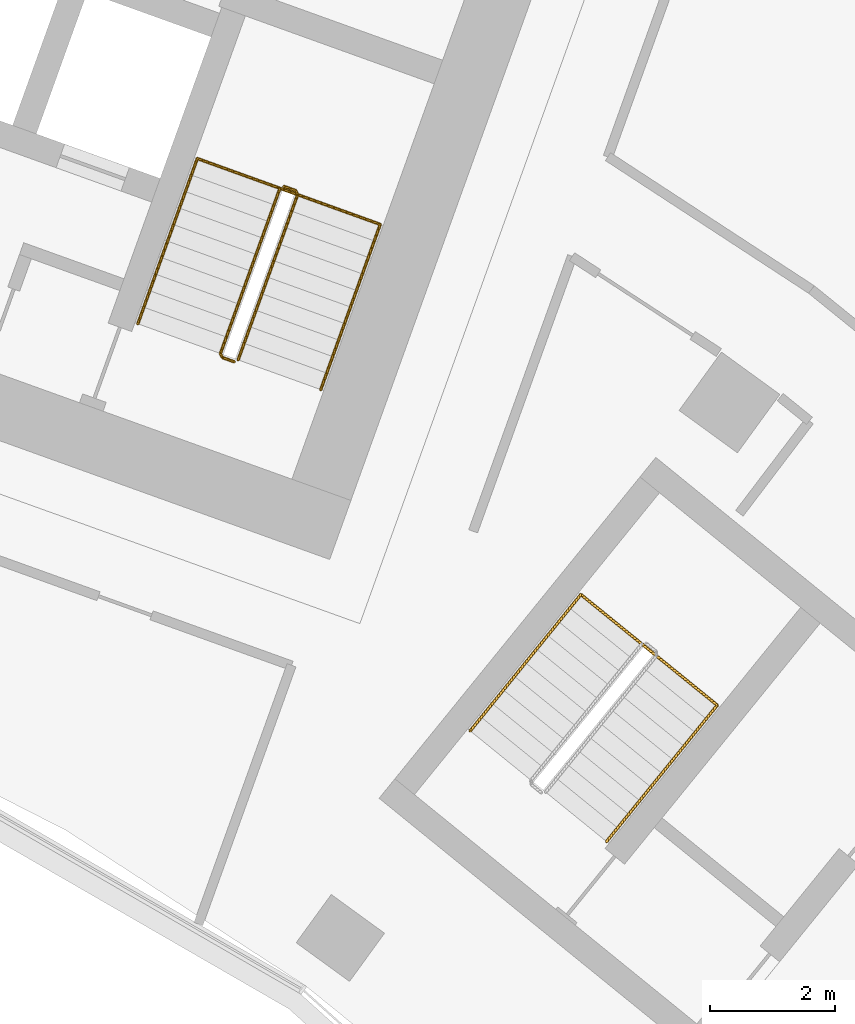
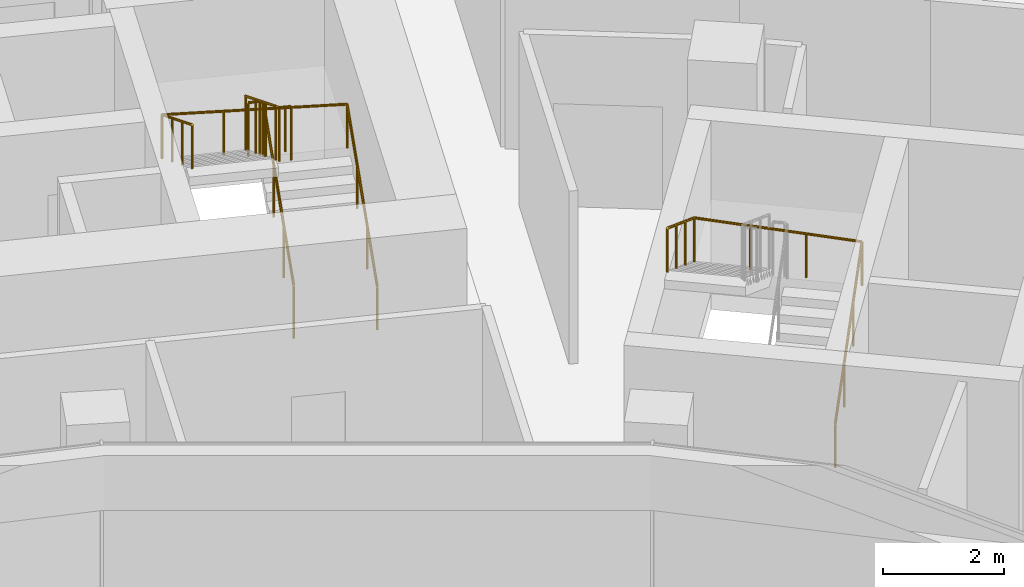
# One storey, part 19 of 19: 4 railings.
"""IFC4 building model written with IfcOpenShell, lengths in metres."""

from ifc_helpers import new_model, si_unit, direction, frame, origin, origin_2d, place, context, subcontext, project, spatial, circle, extrude, material, type_object, element, save


model = new_model("IFC4")

# Units and contexts
model_context = context("Model", 3, precision=1e-05, world=origin(), true_north=direction((0.0, 1.0)))
body_context = subcontext(model_context, "Body", "Model", "MODEL_VIEW")
ifc_project = project(units=[si_unit("LENGTHUNIT", "METRE"), si_unit("AREAUNIT", "SQUARE_METRE"), si_unit("VOLUMEUNIT", "CUBIC_METRE"), si_unit("PLANEANGLEUNIT", "RADIAN"), si_unit("MASSUNIT", "GRAM", prefix="KILO")], contexts=[model_context])

# Site, building, storey
site_placement = place(None, origin())
site = spatial("IfcSite", under=ifc_project, at=site_placement, CompositionType="ELEMENT")
building_placement = place(site_placement, origin())
building = spatial("IfcBuilding", under=site, at=building_placement, Name="Stone Belt Terrace Tower", CompositionType="ELEMENT")
storey_placement = place(building_placement, frame((0.0, 0.0, 208.60009765625)))
storey = spatial("IfcBuildingStorey", under=building, at=storey_placement, Name="L50", CompositionType="ELEMENT", Elevation=208.60009765625)

# Railings
ifc_material = material(Name="Structural steel C345", Category="steel")
railing_type_1 = type_object("IfcRailingType", Name="Stair guard 1100", PredefinedType="GUARDRAIL", material=ifc_material)
railing_1_placement = place(storey_placement, frame((24.494140625, 45.174560546875, 0.172607421875)))
element("IfcRailing", 1, at=railing_1_placement, inside=storey, type_object=railing_type_1, Name="L50 ST1B stair guard 1", PredefinedType="GUARDRAIL", context=body_context, shape_type="SweptSolid", body=[
    extrude(circle(Radius=0.02392578125, at=origin_2d()), frame((0.0, 0.0, 1.076171875), z_axis=(0.288228637646, 0.800791768495, 0.525030280985), x_axis=(-0.940908529223, 0.338660803216, 0.0)), (0.0, 0.0, 1.0), 3.289794921875),
    extrude(circle(Radius=0.02392578125, at=origin_2d()), frame((0.9482421875, 2.634521484375, 2.80322265625), z_axis=(-0.424964916, 0.905209821074, 0.0), x_axis=(-0.905209821074, -0.424964916, 0.0)), (0.0, 0.0, 1.0), 0.070556640625),
    extrude(circle(Radius=0.02392578125, at=origin_2d()), frame((0.918212890625, 2.698486328125, 2.80322265625), z_axis=(-0.941105063269, 0.338114270461, 0.0), x_axis=(-0.338114270461, -0.941105063269, 0.0)), (0.0, 0.0, 1.0), 0.199951171875),
    extrude(circle(Radius=0.02099609375, at=origin_2d()), origin(), (0.0, 0.0, 1.0), 1.052001953125),
    extrude(circle(Radius=0.02099609375, at=origin_2d()), frame((0.316162109375, 0.878173828125, 0.57568359375)), (0.0, 0.0, 1.0), 1.052001953125),
    extrude(circle(Radius=0.02099609375, at=origin_2d()), frame((0.632080078125, 1.75634765625, 1.151611328125)), (0.0, 0.0, 1.0), 1.052001953125),
    extrude(circle(Radius=0.02099609375, at=origin_2d()), frame((0.9482421875, 2.634521484375, 1.727294921875)), (0.0, 0.0, 1.0), 1.052001953125),
    extrude(circle(Radius=0.02099609375, at=origin_2d()), frame((0.918212890625, 2.698486328125, 1.727294921875)), (0.0, 0.0, 1.0), 1.052001953125),
    extrude(circle(Radius=0.02099609375, at=origin_2d()), frame((0.72998046875, 2.76611328125, 1.727294921875)), (0.0, 0.0, 1.0), 1.052001953125),
])
railing_2_placement = place(storey_placement, frame((25.16015625, 47.91064453125, 2.072509765625)))
element("IfcRailing", 2, at=railing_2_placement, inside=storey, type_object=railing_type_1, Name="L50 ST1B stair guard 2", PredefinedType="GUARDRAIL", context=body_context, shape_type="SweptSolid", body=[
    extrude(circle(Radius=0.02392578125, at=origin_2d()), frame((0.0, 0.0, 1.076171875), z_axis=(-0.288228637646, -0.800791768495, 0.525030280985), x_axis=(0.940908529223, -0.338660803216, 0.0)), (0.0, 0.0, 1.0), 3.289794921875),
    extrude(circle(Radius=0.02392578125, at=origin_2d()), frame((-0.9482421875, -2.634521484375, 2.80322265625), z_axis=(0.427789722475, -0.903878284585, 0.0), x_axis=(0.903878284585, 0.427789722475, 0.0)), (0.0, 0.0, 1.0), 0.07080078125),
    extrude(circle(Radius=0.02392578125, at=origin_2d()), frame((-0.91796875, -2.698486328125, 2.80322265625), z_axis=(0.940575576748, -0.339584429008, 0.0), x_axis=(0.339584429008, 0.940575576748, 0.0)), (0.0, 0.0, 1.0), 0.199951171875),
    extrude(circle(Radius=0.02099609375, at=origin_2d()), origin(), (0.0, 0.0, 1.0), 1.052001953125),
    extrude(circle(Radius=0.02099609375, at=origin_2d()), frame((-0.316162109375, -0.878173828125, 0.57568359375)), (0.0, 0.0, 1.0), 1.052001953125),
    extrude(circle(Radius=0.02099609375, at=origin_2d()), frame((-0.632080078125, -1.75634765625, 1.151611328125)), (0.0, 0.0, 1.0), 1.052001953125),
    extrude(circle(Radius=0.02099609375, at=origin_2d()), frame((-0.9482421875, -2.634521484375, 1.727294921875)), (0.0, 0.0, 1.0), 1.052001953125),
    extrude(circle(Radius=0.02099609375, at=origin_2d()), frame((-0.91796875, -2.698486328125, 1.727294921875)), (0.0, 0.0, 1.0), 1.052001953125),
    extrude(circle(Radius=0.02099609375, at=origin_2d()), frame((-0.72998046875, -2.766357421875, 1.727294921875)), (0.0, 0.0, 1.0), 1.052001953125),
])
railing_type_2 = type_object("IfcRailingType", Name="Stair handrail 900", PredefinedType="HANDRAIL", material=ifc_material)
railing_3_placement = place(storey_placement, frame((25.8115234375, 44.700439453125, 0.172607421875)))
element("IfcRailing", 3, at=railing_3_placement, inside=storey, type_object=railing_type_2, Name="L50 ST1B stair handrail 1", PredefinedType="HANDRAIL", context=body_context, shape_type="SweptSolid", body=[
    extrude(circle(Radius=0.02392578125, at=origin_2d()), frame((0.0, 0.0, 0.8759765625), z_axis=(0.288228637646, 0.800791768495, 0.525030280985), x_axis=(-0.940908529223, 0.338660803216, 0.0)), (0.0, 0.0, 1.0), 3.289794921875),
    extrude(circle(Radius=0.02392578125, at=origin_2d()), frame((0.9482421875, 2.634521484375, 2.60302734375), z_axis=(-0.939464517435, 0.338106580597, 0.055591012205), x_axis=(-0.338630230244, -0.940919532779, 0.0)), (0.0, 0.0, 1.0), 3.10498046875),
    extrude(circle(Radius=0.02392578125, at=origin_2d()), frame((-1.96875, 3.684326171875, 2.77587890625), z_axis=(-0.288160591223, -0.800808895155, 0.52504150989), x_axis=(0.940936311087, -0.338583606334, 0.0)), (0.0, 0.0, 1.0), 3.289794921875),
    extrude(circle(Radius=0.02099609375, at=origin_2d()), origin(), (0.0, 0.0, 1.0), 0.851806640625),
    extrude(circle(Radius=0.02099609375, at=origin_2d()), frame((0.316162109375, 0.878173828125, 0.57568359375)), (0.0, 0.0, 1.0), 0.851806640625),
    extrude(circle(Radius=0.02099609375, at=origin_2d()), frame((0.632080078125, 1.75634765625, 1.151611328125)), (0.0, 0.0, 1.0), 0.851806640625),
    extrude(circle(Radius=0.02099609375, at=origin_2d()), frame((0.9482421875, 2.634521484375, 1.727294921875)), (0.0, 0.0, 1.0), 0.851806640625),
    extrude(circle(Radius=0.02099609375, at=origin_2d()), frame((-0.024169921875, 2.984375, 1.784912109375)), (0.0, 0.0, 1.0), 0.851806640625),
    extrude(circle(Radius=0.02099609375, at=origin_2d()), frame((-0.996337890625, 3.33447265625, 1.84228515625)), (0.0, 0.0, 1.0), 0.851806640625),
    extrude(circle(Radius=0.02099609375, at=origin_2d()), frame((-1.96875, 3.684326171875, 1.89990234375)), (0.0, 0.0, 1.0), 0.851806640625),
    extrude(circle(Radius=0.02099609375, at=origin_2d()), frame((-2.28466796875, 2.80615234375, 2.4755859375)), (0.0, 0.0, 1.0), 0.851806640625),
    extrude(circle(Radius=0.02099609375, at=origin_2d()), frame((-2.600830078125, 1.927978515625, 3.051513671875)), (0.0, 0.0, 1.0), 0.851806640625),
    extrude(circle(Radius=0.02099609375, at=origin_2d()), frame((-2.916748046875, 1.0498046875, 3.627197265625)), (0.0, 0.0, 1.0), 0.851806640625),
])
railing_4_placement = place(storey_placement, frame((30.36865234375, 37.494140625, 0.172607421875)))
element("IfcRailing", 4, at=railing_4_placement, inside=storey, type_object=railing_type_2, Name="L50 ST3B stair handrail 1", PredefinedType="HANDRAIL", context=body_context, shape_type="SweptSolid", body=[
    extrude(circle(Radius=0.02392578125, at=origin_2d()), frame((0.0, 0.0, 0.8759765625), z_axis=(0.536366759382, 0.660811565066, 0.525013118792), x_axis=(-0.776425942316, 0.630208502084, 0.0)), (0.0, 0.0, 1.0), 3.2900390625),
    extrude(circle(Radius=0.02392578125, at=origin_2d()), frame((1.7646484375, 2.174072265625, 2.60302734375), z_axis=(-0.774954966459, 0.629014542119, 0.061526463929), x_axis=(-0.630208502084, -0.776425942316, 0.0)), (0.0, 0.0, 1.0), 2.805419921875),
    extrude(circle(Radius=0.02392578125, at=origin_2d()), frame((-0.409423828125, 3.938720703125, 2.77587890625), z_axis=(-0.536366759382, -0.660811565066, 0.525013118792), x_axis=(0.776425942316, -0.630208502084, 0.0)), (0.0, 0.0, 1.0), 3.2900390625),
    extrude(circle(Radius=0.02099609375, at=origin_2d()), origin(), (0.0, 0.0, 1.0), 0.851806640625),
    extrude(circle(Radius=0.02099609375, at=origin_2d()), frame((0.588134765625, 0.724609375, 0.57568359375)), (0.0, 0.0, 1.0), 0.851806640625),
    extrude(circle(Radius=0.02099609375, at=origin_2d()), frame((1.176513671875, 1.449462890625, 1.151611328125)), (0.0, 0.0, 1.0), 0.851806640625),
    extrude(circle(Radius=0.02099609375, at=origin_2d()), frame((1.7646484375, 2.174072265625, 1.727294921875)), (0.0, 0.0, 1.0), 0.851806640625),
    extrude(circle(Radius=0.02099609375, at=origin_2d()), frame((1.0400390625, 2.76220703125, 1.784912109375)), (0.0, 0.0, 1.0), 0.851806640625),
    extrude(circle(Radius=0.02099609375, at=origin_2d()), frame((0.315185546875, 3.3505859375, 1.84228515625)), (0.0, 0.0, 1.0), 0.851806640625),
    extrude(circle(Radius=0.02099609375, at=origin_2d()), frame((-0.409423828125, 3.938720703125, 1.89990234375)), (0.0, 0.0, 1.0), 0.851806640625),
    extrude(circle(Radius=0.02099609375, at=origin_2d()), frame((-0.99755859375, 3.214111328125, 2.4755859375)), (0.0, 0.0, 1.0), 0.851806640625),
    extrude(circle(Radius=0.02099609375, at=origin_2d()), frame((-1.5859375, 2.4892578125, 3.051513671875)), (0.0, 0.0, 1.0), 0.851806640625),
    extrude(circle(Radius=0.02099609375, at=origin_2d()), frame((-2.174072265625, 1.7646484375, 3.627197265625)), (0.0, 0.0, 1.0), 0.851806640625),
])

save(model, "model.ifc")
